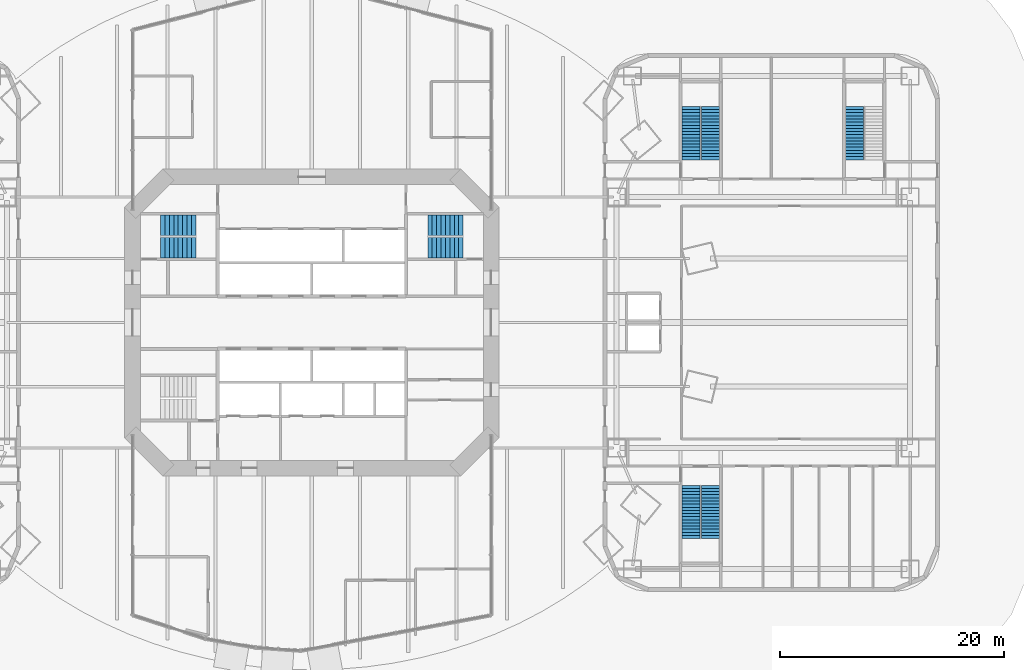
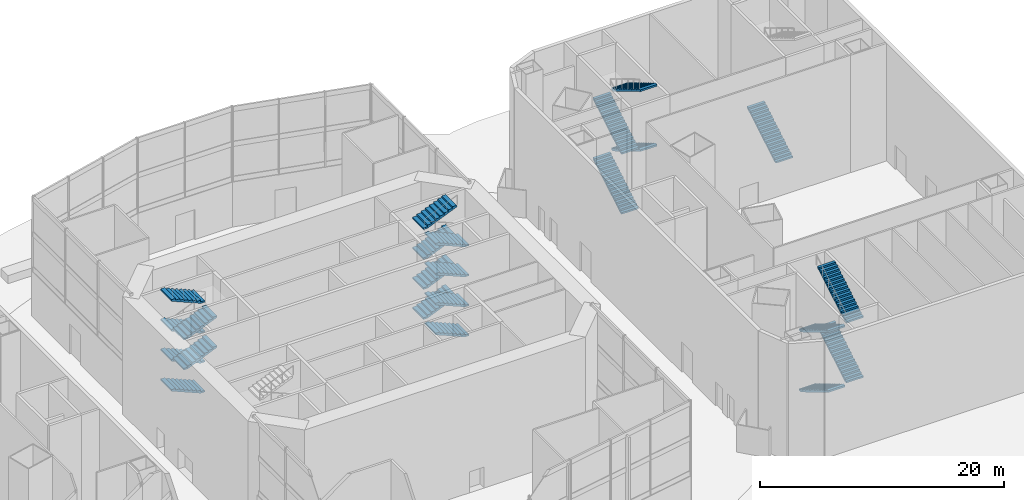
# One storey, part 19 of 23: 23 stair flights, 5 elements without a shape of their own.
"""IFC4 building model written with IfcOpenShell, lengths in metres."""

from ifc_helpers import new_model, si_unit, direction, frame, origin, place, context, subcontext, project, spatial, polyline, outline, extrude, material, type_object, element, aggregate, save


model = new_model("IFC4")

# Units and contexts
model_context = context("Model", 3, precision=1e-05, world=origin(), true_north=direction((0.0, 1.0)))
body_context = subcontext(model_context, "Body", "Model", "MODEL_VIEW")
ifc_project = project(units=[si_unit("LENGTHUNIT", "METRE"), si_unit("AREAUNIT", "SQUARE_METRE"), si_unit("VOLUMEUNIT", "CUBIC_METRE"), si_unit("PLANEANGLEUNIT", "RADIAN"), si_unit("MASSUNIT", "GRAM", prefix="KILO")], contexts=[model_context])

# Site, building, storey
site_placement = place(None, origin())
site = spatial("IfcSite", under=ifc_project, at=site_placement, CompositionType="ELEMENT")
building_placement = place(site_placement, origin())
building = spatial("IfcBuilding", under=site, at=building_placement, Name="Marenthal Gate Tower", CompositionType="ELEMENT")
storey_placement = place(building_placement, origin())
storey = spatial("IfcBuildingStorey", under=building, at=storey_placement, Name="L00", CompositionType="ELEMENT", Elevation=0.0)

# Stair, stair flights
ifc_material_1 = material(Name="Concrete 40 MPa", Category="concrete")
stair_type_1 = type_object("IfcStairType", Name="Exit stair 1600", PredefinedType="HALF_TURN_STAIR", material=ifc_material_1)
stair_1_placement = place(storey_placement, origin())
stair_1 = element("IfcStair", 1, at=stair_1_placement, inside=storey, type_object=stair_type_1, Name="Stair E1", PredefinedType="HALF_TURN_STAIR")
ifc_material_2 = material(Name="Concrete 40 MPa", Category="concrete")
stair_flight_type_1 = type_object("IfcStairFlightType", Name="Stair flight 1600", PredefinedType="STRAIGHT", material=ifc_material_2)
stair_flight_1_placement = place(storey_placement, frame((33.824951171875, 14.52490234375, 0.0), z_axis=(0.0, 0.0, 1.0), x_axis=(0.0, 1.0, 0.0)))
stair_flight_1 = element("IfcStairFlight", 2, at=stair_flight_1_placement, type_object=stair_flight_type_1, Name="E1 flight 1", NumberOfRisers=18, NumberOfTreads=17, PredefinedType="STRAIGHT", RiserHeight=0.166666667, TreadLength=0.28, context=body_context, shape_type="SweptSolid", body=[
    extrude(outline(polyline([(0.0, 0.0), (0.0, 0.166748046875), (0.280029296875, 0.166748046875), (0.280029296875, 0.333251953125), (0.56005859375, 0.333251953125), (0.56005859375, 0.5), (0.840087890625, 0.5), (0.840087890625, 0.666748046875), (1.1201171875, 0.666748046875), (1.1201171875, 0.833251953125), (1.39990234375, 0.833251953125), (1.39990234375, 1.0), (1.679931640625, 1.0), (1.679931640625, 1.166748046875), (1.9599609375, 1.166748046875), (1.9599609375, 1.333251953125), (2.239990234375, 1.333251953125), (2.239990234375, 1.5), (2.52001953125, 1.5), (2.52001953125, 1.666748046875), (2.800048828125, 1.666748046875), (2.800048828125, 1.833251953125), (3.080078125, 1.833251953125), (3.080078125, 2.0), (3.360107421875, 2.0), (3.360107421875, 2.166748046875), (3.639892578125, 2.166748046875), (3.639892578125, 2.333251953125), (3.919921875, 2.333251953125), (3.919921875, 2.5), (4.199951171875, 2.5), (4.199951171875, 2.666748046875), (4.47998046875, 2.666748046875), (4.47998046875, 2.833251953125), (4.760009765625, 2.833251953125), (4.760009765625, 3.0), (4.760009765625, 2.658935546875), (0.29296875, 0.0), (0.0, 0.0)])), frame((0.0, 0.800048828125, 0.0), z_axis=(0.0, -1.0, 0.0), x_axis=(1.0, 0.0, 0.0)), (0.0, 0.0, 1.0), 1.60009765625),
])
stair_flight_2_placement = place(storey_placement, frame((35.574951171875, 19.284912109375, 3.0), z_axis=(0.0, 0.0, 1.0), x_axis=(0.0, -1.0, 0.0)))
stair_flight_2 = element("IfcStairFlight", 3, at=stair_flight_2_placement, type_object=stair_flight_type_1, Name="E1 flight 2", NumberOfRisers=18, NumberOfTreads=17, PredefinedType="STRAIGHT", RiserHeight=0.166666667, TreadLength=0.28, context=body_context, shape_type="SweptSolid", body=[
    extrude(outline(polyline([(0.0, 0.0), (0.0, 0.166748046875), (0.280029296875, 0.166748046875), (0.280029296875, 0.333251953125), (0.56005859375, 0.333251953125), (0.56005859375, 0.5), (0.840087890625, 0.5), (0.840087890625, 0.666748046875), (1.1201171875, 0.666748046875), (1.1201171875, 0.833251953125), (1.39990234375, 0.833251953125), (1.39990234375, 1.0), (1.679931640625, 1.0), (1.679931640625, 1.166748046875), (1.9599609375, 1.166748046875), (1.9599609375, 1.333251953125), (2.239990234375, 1.333251953125), (2.239990234375, 1.5), (2.52001953125, 1.5), (2.52001953125, 1.666748046875), (2.800048828125, 1.666748046875), (2.800048828125, 1.833251953125), (3.080078125, 1.833251953125), (3.080078125, 2.0), (3.360107421875, 2.0), (3.360107421875, 2.166748046875), (3.639892578125, 2.166748046875), (3.639892578125, 2.333251953125), (3.919921875, 2.333251953125), (3.919921875, 2.5), (4.199951171875, 2.5), (4.199951171875, 2.666748046875), (4.47998046875, 2.666748046875), (4.47998046875, 2.833251953125), (4.760009765625, 2.833251953125), (4.760009765625, 3.0), (4.760009765625, 2.658935546875), (0.29296875, 0.0), (0.0, 0.0)])), frame((0.0, 0.800048828125, 0.0), z_axis=(0.0, -1.0, 0.0), x_axis=(1.0, 0.0, 0.0)), (0.0, 0.0, 1.0), 1.60009765625),
])
stair_flight_3_placement = place(storey_placement, frame((33.824951171875, 14.52490234375, 6.0), z_axis=(0.0, 0.0, 1.0), x_axis=(0.0, 1.0, 0.0)))
stair_flight_3 = element("IfcStairFlight", 4, at=stair_flight_3_placement, type_object=stair_flight_type_1, Name="E1 flight 3", NumberOfRisers=18, NumberOfTreads=17, PredefinedType="STRAIGHT", RiserHeight=0.166666667, TreadLength=0.28, context=body_context, shape_type="SweptSolid", body=[
    extrude(outline(polyline([(0.0, 0.0), (0.0, 0.166748046875), (0.280029296875, 0.166748046875), (0.280029296875, 0.333251953125), (0.56005859375, 0.333251953125), (0.56005859375, 0.5), (0.840087890625, 0.5), (0.840087890625, 0.666748046875), (1.1201171875, 0.666748046875), (1.1201171875, 0.833251953125), (1.39990234375, 0.833251953125), (1.39990234375, 1.0), (1.679931640625, 1.0), (1.679931640625, 1.166748046875), (1.9599609375, 1.166748046875), (1.9599609375, 1.333251953125), (2.239990234375, 1.333251953125), (2.239990234375, 1.5), (2.52001953125, 1.5), (2.52001953125, 1.666748046875), (2.800048828125, 1.666748046875), (2.800048828125, 1.833251953125), (3.080078125, 1.833251953125), (3.080078125, 2.0), (3.360107421875, 2.0), (3.360107421875, 2.166748046875), (3.639892578125, 2.166748046875), (3.639892578125, 2.333251953125), (3.919921875, 2.333251953125), (3.919921875, 2.5), (4.199951171875, 2.5), (4.199951171875, 2.666748046875), (4.47998046875, 2.666748046875), (4.47998046875, 2.833251953125), (4.760009765625, 2.833251953125), (4.760009765625, 3.0), (4.760009765625, 2.658935546875), (0.29296875, 0.0), (0.0, 0.0)])), frame((0.0, 0.800048828125, 0.0), z_axis=(0.0, -1.0, 0.0), x_axis=(1.0, 0.0, 0.0)), (0.0, 0.0, 1.0), 1.60009765625),
])
stair_flight_4_placement = place(storey_placement, frame((35.574951171875, 19.284912109375, 9.0), z_axis=(0.0, 0.0, 1.0), x_axis=(0.0, -1.0, 0.0)))
stair_flight_4 = element("IfcStairFlight", 5, at=stair_flight_4_placement, type_object=stair_flight_type_1, Name="E1 flight 4", NumberOfRisers=18, NumberOfTreads=17, PredefinedType="STRAIGHT", RiserHeight=0.166666667, TreadLength=0.28, context=body_context, shape_type="SweptSolid", body=[
    extrude(outline(polyline([(0.0, 0.0), (0.0, 0.166748046875), (0.280029296875, 0.166748046875), (0.280029296875, 0.333251953125), (0.56005859375, 0.333251953125), (0.56005859375, 0.5), (0.840087890625, 0.5), (0.840087890625, 0.666748046875), (1.1201171875, 0.666748046875), (1.1201171875, 0.833251953125), (1.39990234375, 0.833251953125), (1.39990234375, 1.0), (1.679931640625, 1.0), (1.679931640625, 1.166748046875), (1.9599609375, 1.166748046875), (1.9599609375, 1.333251953125), (2.239990234375, 1.333251953125), (2.239990234375, 1.5), (2.52001953125, 1.5), (2.52001953125, 1.666748046875), (2.800048828125, 1.666748046875), (2.800048828125, 1.833251953125), (3.080078125, 1.833251953125), (3.080078125, 2.0), (3.360107421875, 2.0), (3.360107421875, 2.166748046875), (3.639892578125, 2.166748046875), (3.639892578125, 2.333251953125), (3.919921875, 2.333251953125), (3.919921875, 2.5), (4.199951171875, 2.5), (4.199951171875, 2.666748046875), (4.47998046875, 2.666748046875), (4.47998046875, 2.833251953125), (4.760009765625, 2.833251953125), (4.760009765625, 3.0), (4.760009765625, 2.658935546875), (0.29296875, 0.0), (0.0, 0.0)])), frame((0.0, 0.800048828125, 0.0), z_axis=(0.0, -1.0, 0.0), x_axis=(1.0, 0.0, 0.0)), (0.0, 0.0, 1.0), 1.60009765625),
])
aggregate(stair_1, [stair_flight_1, stair_flight_2, stair_flight_3, stair_flight_4])

stair_2_placement = place(storey_placement, origin())
stair_2 = element("IfcStair", 6, at=stair_2_placement, inside=storey, type_object=stair_type_1, Name="Stair E2", PredefinedType="HALF_TURN_STAIR")
stair_flight_5_placement = place(storey_placement, frame((33.824951171875, -14.52490234375, 0.0), z_axis=(0.0, 0.0, 1.0), x_axis=(0.0, -1.0, 0.0)))
stair_flight_5 = element("IfcStairFlight", 7, at=stair_flight_5_placement, type_object=stair_flight_type_1, Name="E2 flight 1", NumberOfRisers=18, NumberOfTreads=17, PredefinedType="STRAIGHT", RiserHeight=0.166666667, TreadLength=0.28, context=body_context, shape_type="SweptSolid", body=[
    extrude(outline(polyline([(0.0, 0.0), (0.0, 0.166748046875), (0.280029296875, 0.166748046875), (0.280029296875, 0.333251953125), (0.56005859375, 0.333251953125), (0.56005859375, 0.5), (0.840087890625, 0.5), (0.840087890625, 0.666748046875), (1.1201171875, 0.666748046875), (1.1201171875, 0.833251953125), (1.39990234375, 0.833251953125), (1.39990234375, 1.0), (1.679931640625, 1.0), (1.679931640625, 1.166748046875), (1.9599609375, 1.166748046875), (1.9599609375, 1.333251953125), (2.239990234375, 1.333251953125), (2.239990234375, 1.5), (2.52001953125, 1.5), (2.52001953125, 1.666748046875), (2.800048828125, 1.666748046875), (2.800048828125, 1.833251953125), (3.080078125, 1.833251953125), (3.080078125, 2.0), (3.360107421875, 2.0), (3.360107421875, 2.166748046875), (3.639892578125, 2.166748046875), (3.639892578125, 2.333251953125), (3.919921875, 2.333251953125), (3.919921875, 2.5), (4.199951171875, 2.5), (4.199951171875, 2.666748046875), (4.47998046875, 2.666748046875), (4.47998046875, 2.833251953125), (4.760009765625, 2.833251953125), (4.760009765625, 3.0), (4.760009765625, 2.658935546875), (0.29296875, 0.0), (0.0, 0.0)])), frame((0.0, 0.800048828125, 0.0), z_axis=(0.0, -1.0, 0.0), x_axis=(1.0, 0.0, 0.0)), (0.0, 0.0, 1.0), 1.60009765625),
])
stair_flight_6_placement = place(storey_placement, frame((35.574951171875, -19.284912109375, 3.0), z_axis=(0.0, 0.0, 1.0), x_axis=(0.0, 1.0, 0.0)))
stair_flight_6 = element("IfcStairFlight", 8, at=stair_flight_6_placement, type_object=stair_flight_type_1, Name="E2 flight 2", NumberOfRisers=18, NumberOfTreads=17, PredefinedType="STRAIGHT", RiserHeight=0.166666667, TreadLength=0.28, context=body_context, shape_type="SweptSolid", body=[
    extrude(outline(polyline([(0.0, 0.0), (0.0, 0.166748046875), (0.280029296875, 0.166748046875), (0.280029296875, 0.333251953125), (0.56005859375, 0.333251953125), (0.56005859375, 0.5), (0.840087890625, 0.5), (0.840087890625, 0.666748046875), (1.1201171875, 0.666748046875), (1.1201171875, 0.833251953125), (1.39990234375, 0.833251953125), (1.39990234375, 1.0), (1.679931640625, 1.0), (1.679931640625, 1.166748046875), (1.9599609375, 1.166748046875), (1.9599609375, 1.333251953125), (2.239990234375, 1.333251953125), (2.239990234375, 1.5), (2.52001953125, 1.5), (2.52001953125, 1.666748046875), (2.800048828125, 1.666748046875), (2.800048828125, 1.833251953125), (3.080078125, 1.833251953125), (3.080078125, 2.0), (3.360107421875, 2.0), (3.360107421875, 2.166748046875), (3.639892578125, 2.166748046875), (3.639892578125, 2.333251953125), (3.919921875, 2.333251953125), (3.919921875, 2.5), (4.199951171875, 2.5), (4.199951171875, 2.666748046875), (4.47998046875, 2.666748046875), (4.47998046875, 2.833251953125), (4.760009765625, 2.833251953125), (4.760009765625, 3.0), (4.760009765625, 2.658935546875), (0.29296875, 0.0), (0.0, 0.0)])), frame((0.0, 0.800048828125, 0.0), z_axis=(0.0, -1.0, 0.0), x_axis=(1.0, 0.0, 0.0)), (0.0, 0.0, 1.0), 1.60009765625),
])
stair_flight_7_placement = place(storey_placement, frame((33.824951171875, -14.52490234375, 6.0), z_axis=(0.0, 0.0, 1.0), x_axis=(0.0, -1.0, 0.0)))
stair_flight_7 = element("IfcStairFlight", 9, at=stair_flight_7_placement, type_object=stair_flight_type_1, Name="E2 flight 3", NumberOfRisers=18, NumberOfTreads=17, PredefinedType="STRAIGHT", RiserHeight=0.166666667, TreadLength=0.28, context=body_context, shape_type="SweptSolid", body=[
    extrude(outline(polyline([(0.0, 0.0), (0.0, 0.166748046875), (0.280029296875, 0.166748046875), (0.280029296875, 0.333251953125), (0.56005859375, 0.333251953125), (0.56005859375, 0.5), (0.840087890625, 0.5), (0.840087890625, 0.666748046875), (1.1201171875, 0.666748046875), (1.1201171875, 0.833251953125), (1.39990234375, 0.833251953125), (1.39990234375, 1.0), (1.679931640625, 1.0), (1.679931640625, 1.166748046875), (1.9599609375, 1.166748046875), (1.9599609375, 1.333251953125), (2.239990234375, 1.333251953125), (2.239990234375, 1.5), (2.52001953125, 1.5), (2.52001953125, 1.666748046875), (2.800048828125, 1.666748046875), (2.800048828125, 1.833251953125), (3.080078125, 1.833251953125), (3.080078125, 2.0), (3.360107421875, 2.0), (3.360107421875, 2.166748046875), (3.639892578125, 2.166748046875), (3.639892578125, 2.333251953125), (3.919921875, 2.333251953125), (3.919921875, 2.5), (4.199951171875, 2.5), (4.199951171875, 2.666748046875), (4.47998046875, 2.666748046875), (4.47998046875, 2.833251953125), (4.760009765625, 2.833251953125), (4.760009765625, 3.0), (4.760009765625, 2.658935546875), (0.29296875, 0.0), (0.0, 0.0)])), frame((0.0, 0.800048828125, 0.0), z_axis=(0.0, -1.0, 0.0), x_axis=(1.0, 0.0, 0.0)), (0.0, 0.0, 1.0), 1.60009765625),
])
stair_flight_8_placement = place(storey_placement, frame((35.574951171875, -19.284912109375, 9.0), z_axis=(0.0, 0.0, 1.0), x_axis=(0.0, 1.0, 0.0)))
stair_flight_8 = element("IfcStairFlight", 10, at=stair_flight_8_placement, type_object=stair_flight_type_1, Name="E2 flight 4", NumberOfRisers=18, NumberOfTreads=17, PredefinedType="STRAIGHT", RiserHeight=0.166666667, TreadLength=0.28, context=body_context, shape_type="SweptSolid", body=[
    extrude(outline(polyline([(0.0, 0.0), (0.0, 0.166748046875), (0.280029296875, 0.166748046875), (0.280029296875, 0.333251953125), (0.56005859375, 0.333251953125), (0.56005859375, 0.5), (0.840087890625, 0.5), (0.840087890625, 0.666748046875), (1.1201171875, 0.666748046875), (1.1201171875, 0.833251953125), (1.39990234375, 0.833251953125), (1.39990234375, 1.0), (1.679931640625, 1.0), (1.679931640625, 1.166748046875), (1.9599609375, 1.166748046875), (1.9599609375, 1.333251953125), (2.239990234375, 1.333251953125), (2.239990234375, 1.5), (2.52001953125, 1.5), (2.52001953125, 1.666748046875), (2.800048828125, 1.666748046875), (2.800048828125, 1.833251953125), (3.080078125, 1.833251953125), (3.080078125, 2.0), (3.360107421875, 2.0), (3.360107421875, 2.166748046875), (3.639892578125, 2.166748046875), (3.639892578125, 2.333251953125), (3.919921875, 2.333251953125), (3.919921875, 2.5), (4.199951171875, 2.5), (4.199951171875, 2.666748046875), (4.47998046875, 2.666748046875), (4.47998046875, 2.833251953125), (4.760009765625, 2.833251953125), (4.760009765625, 3.0), (4.760009765625, 2.658935546875), (0.29296875, 0.0), (0.0, 0.0)])), frame((0.0, 0.800048828125, 0.0), z_axis=(0.0, -1.0, 0.0), x_axis=(1.0, 0.0, 0.0)), (0.0, 0.0, 1.0), 1.60009765625),
])
aggregate(stair_2, [stair_flight_5, stair_flight_6, stair_flight_7, stair_flight_8])

# Stair, stair flight
stair_3_placement = place(storey_placement, origin())
stair_3 = element("IfcStair", 11, at=stair_3_placement, inside=storey, type_object=stair_type_1, Name="Stair E3", PredefinedType="HALF_TURN_STAIR")
stair_flight_9_placement = place(storey_placement, frame((48.425048828125, 14.52490234375, 0.0), z_axis=(0.0, 0.0, 1.0), x_axis=(0.0, 1.0, 0.0)))
stair_flight_9 = element("IfcStairFlight", 12, at=stair_flight_9_placement, type_object=stair_flight_type_1, Name="E3 flight 1", NumberOfRisers=18, NumberOfTreads=17, PredefinedType="STRAIGHT", RiserHeight=0.166666667, TreadLength=0.28, context=body_context, shape_type="SweptSolid", body=[
    extrude(outline(polyline([(0.0, 0.0), (0.0, 0.166748046875), (0.280029296875, 0.166748046875), (0.280029296875, 0.333251953125), (0.56005859375, 0.333251953125), (0.56005859375, 0.5), (0.840087890625, 0.5), (0.840087890625, 0.666748046875), (1.1201171875, 0.666748046875), (1.1201171875, 0.833251953125), (1.39990234375, 0.833251953125), (1.39990234375, 1.0), (1.679931640625, 1.0), (1.679931640625, 1.166748046875), (1.9599609375, 1.166748046875), (1.9599609375, 1.333251953125), (2.239990234375, 1.333251953125), (2.239990234375, 1.5), (2.52001953125, 1.5), (2.52001953125, 1.666748046875), (2.800048828125, 1.666748046875), (2.800048828125, 1.833251953125), (3.080078125, 1.833251953125), (3.080078125, 2.0), (3.360107421875, 2.0), (3.360107421875, 2.166748046875), (3.639892578125, 2.166748046875), (3.639892578125, 2.333251953125), (3.919921875, 2.333251953125), (3.919921875, 2.5), (4.199951171875, 2.5), (4.199951171875, 2.666748046875), (4.47998046875, 2.666748046875), (4.47998046875, 2.833251953125), (4.760009765625, 2.833251953125), (4.760009765625, 3.0), (4.760009765625, 2.658935546875), (0.29296875, 0.0), (0.0, 0.0)])), frame((0.0, 0.800048828125, 0.0), z_axis=(0.0, -1.0, 0.0), x_axis=(1.0, 0.0, 0.0)), (0.0, 0.0, 1.0), 1.60009765625),
])
aggregate(stair_3, [stair_flight_9])

# Stair, stair flights
ifc_material_3 = material(Name="Concrete 40 MPa", Category="concrete")
stair_type_2 = type_object("IfcStairType", Name="Exit stair 1800", PredefinedType="HALF_TURN_STAIR", material=ifc_material_3)
stair_4_placement = place(storey_placement, origin())
stair_4 = element("IfcStair", 13, at=stair_4_placement, inside=storey, type_object=stair_type_2, Name="Stair ST1", PredefinedType="HALF_TURN_STAIR")
ifc_material_4 = material(Name="Concrete 40 MPa", Category="concrete")
stair_flight_type_2 = type_object("IfcStairFlightType", Name="Stair flight 1800", PredefinedType="STRAIGHT", material=ifc_material_4)
stair_flight_10_placement = place(storey_placement, frame((-10.350341796875, 8.675048828125, 1.5), z_axis=(0.0, 0.0, 1.0), x_axis=(-1.0, 0.0, 0.0)))
stair_flight_10 = element("IfcStairFlight", 14, at=stair_flight_10_placement, type_object=stair_flight_type_2, Name="ST1 flight 2", NumberOfRisers=9, NumberOfTreads=8, PredefinedType="STRAIGHT", RiserHeight=0.166666667, TreadLength=0.3937, context=body_context, shape_type="SweptSolid", body=[
    extrude(outline(polyline([(0.0, 0.0), (0.0, 0.166748046875), (0.393798828125, 0.166748046875), (0.393798828125, 0.333251953125), (0.787353515625, 0.333251953125), (0.787353515625, 0.5), (1.18115234375, 0.5), (1.18115234375, 0.666748046875), (1.57470703125, 0.666748046875), (1.57470703125, 0.833251953125), (1.968505859375, 0.833251953125), (1.968505859375, 1.0), (2.3623046875, 1.0), (2.3623046875, 1.166748046875), (2.755859375, 1.166748046875), (2.755859375, 1.333251953125), (3.149658203125, 1.333251953125), (3.149658203125, 1.5), (3.149658203125, 1.170654296875), (0.384521484375, 0.0), (0.0, 0.0)])), frame((0.0, 0.89990234375, 0.0), z_axis=(0.0, -1.0, 0.0), x_axis=(1.0, 0.0, 0.0)), (0.0, 0.0, 1.0), 1.800048828125),
])
stair_flight_11_placement = place(storey_placement, frame((-10.350341796875, 8.675048828125, 4.5), z_axis=(0.0, 0.0, 1.0), x_axis=(-1.0, 0.0, 0.0)))
stair_flight_11 = element("IfcStairFlight", 15, at=stair_flight_11_placement, type_object=stair_flight_type_2, Name="ST1 flight 4", NumberOfRisers=9, NumberOfTreads=8, PredefinedType="STRAIGHT", RiserHeight=0.166666667, TreadLength=0.3937, context=body_context, shape_type="SweptSolid", body=[
    extrude(outline(polyline([(0.0, 0.0), (0.0, 0.166748046875), (0.393798828125, 0.166748046875), (0.393798828125, 0.333251953125), (0.787353515625, 0.333251953125), (0.787353515625, 0.5), (1.18115234375, 0.5), (1.18115234375, 0.666748046875), (1.57470703125, 0.666748046875), (1.57470703125, 0.833251953125), (1.968505859375, 0.833251953125), (1.968505859375, 1.0), (2.3623046875, 1.0), (2.3623046875, 1.166748046875), (2.755859375, 1.166748046875), (2.755859375, 1.333251953125), (3.149658203125, 1.333251953125), (3.149658203125, 1.5), (3.149658203125, 1.170654296875), (0.384521484375, 0.0), (0.0, 0.0)])), frame((0.0, 0.89990234375, 0.0), z_axis=(0.0, -1.0, 0.0), x_axis=(1.0, 0.0, 0.0)), (0.0, 0.0, 1.0), 1.800048828125),
])
stair_flight_12_placement = place(storey_placement, frame((-13.5, 6.675048828125, 6.0), z_axis=(0.0, 0.0, 1.0), x_axis=(1.0, 0.0, 0.0)))
stair_flight_12 = element("IfcStairFlight", 16, at=stair_flight_12_placement, type_object=stair_flight_type_2, Name="ST1 flight 5", NumberOfRisers=9, NumberOfTreads=8, PredefinedType="STRAIGHT", RiserHeight=0.166666667, TreadLength=0.3937, context=body_context, shape_type="SweptSolid", body=[
    extrude(outline(polyline([(0.0, 0.0), (0.0, 0.166748046875), (0.393798828125, 0.166748046875), (0.393798828125, 0.333251953125), (0.787353515625, 0.333251953125), (0.787353515625, 0.5), (1.18115234375, 0.5), (1.18115234375, 0.666748046875), (1.57470703125, 0.666748046875), (1.57470703125, 0.833251953125), (1.968505859375, 0.833251953125), (1.968505859375, 1.0), (2.3623046875, 1.0), (2.3623046875, 1.166748046875), (2.755859375, 1.166748046875), (2.755859375, 1.333251953125), (3.149658203125, 1.333251953125), (3.149658203125, 1.5), (3.149658203125, 1.170654296875), (0.384521484375, 0.0), (0.0, 0.0)])), frame((0.0, 0.89990234375, 0.0), z_axis=(0.0, -1.0, 0.0), x_axis=(1.0, 0.0, 0.0)), (0.0, 0.0, 1.0), 1.800048828125),
])
stair_flight_13_placement = place(storey_placement, frame((-10.350341796875, 8.675048828125, 7.5), z_axis=(0.0, 0.0, 1.0), x_axis=(-1.0, 0.0, 0.0)))
stair_flight_13 = element("IfcStairFlight", 17, at=stair_flight_13_placement, type_object=stair_flight_type_2, Name="ST1 flight 6", NumberOfRisers=9, NumberOfTreads=8, PredefinedType="STRAIGHT", RiserHeight=0.166666667, TreadLength=0.3937, context=body_context, shape_type="SweptSolid", body=[
    extrude(outline(polyline([(0.0, 0.0), (0.0, 0.166748046875), (0.393798828125, 0.166748046875), (0.393798828125, 0.333251953125), (0.787353515625, 0.333251953125), (0.787353515625, 0.5), (1.18115234375, 0.5), (1.18115234375, 0.666748046875), (1.57470703125, 0.666748046875), (1.57470703125, 0.833251953125), (1.968505859375, 0.833251953125), (1.968505859375, 1.0), (2.3623046875, 1.0), (2.3623046875, 1.166748046875), (2.755859375, 1.166748046875), (2.755859375, 1.333251953125), (3.149658203125, 1.333251953125), (3.149658203125, 1.5), (3.149658203125, 1.170654296875), (0.384521484375, 0.0), (0.0, 0.0)])), frame((0.0, 0.89990234375, 0.0), z_axis=(0.0, -1.0, 0.0), x_axis=(1.0, 0.0, 0.0)), (0.0, 0.0, 1.0), 1.800048828125),
])
stair_flight_14_placement = place(storey_placement, frame((-13.5, 6.675048828125, 9.0), z_axis=(0.0, 0.0, 1.0), x_axis=(1.0, 0.0, 0.0)))
stair_flight_14 = element("IfcStairFlight", 18, at=stair_flight_14_placement, type_object=stair_flight_type_2, Name="ST1 flight 7", NumberOfRisers=9, NumberOfTreads=8, PredefinedType="STRAIGHT", RiserHeight=0.166666667, TreadLength=0.3937, context=body_context, shape_type="SweptSolid", body=[
    extrude(outline(polyline([(0.0, 0.0), (0.0, 0.166748046875), (0.393798828125, 0.166748046875), (0.393798828125, 0.333251953125), (0.787353515625, 0.333251953125), (0.787353515625, 0.5), (1.18115234375, 0.5), (1.18115234375, 0.666748046875), (1.57470703125, 0.666748046875), (1.57470703125, 0.833251953125), (1.968505859375, 0.833251953125), (1.968505859375, 1.0), (2.3623046875, 1.0), (2.3623046875, 1.166748046875), (2.755859375, 1.166748046875), (2.755859375, 1.333251953125), (3.149658203125, 1.333251953125), (3.149658203125, 1.5), (3.149658203125, 1.170654296875), (0.384521484375, 0.0), (0.0, 0.0)])), frame((0.0, 0.89990234375, 0.0), z_axis=(0.0, -1.0, 0.0), x_axis=(1.0, 0.0, 0.0)), (0.0, 0.0, 1.0), 1.800048828125),
])
stair_flight_15_placement = place(storey_placement, frame((-10.350341796875, 8.675048828125, 10.5), z_axis=(0.0, 0.0, 1.0), x_axis=(-1.0, 0.0, 0.0)))
stair_flight_15 = element("IfcStairFlight", 19, at=stair_flight_15_placement, type_object=stair_flight_type_2, Name="ST1 flight 8", NumberOfRisers=9, NumberOfTreads=8, PredefinedType="STRAIGHT", RiserHeight=0.166666667, TreadLength=0.3937, context=body_context, shape_type="SweptSolid", body=[
    extrude(outline(polyline([(0.0, 0.0), (0.0, 0.166748046875), (0.393798828125, 0.166748046875), (0.393798828125, 0.333251953125), (0.787353515625, 0.333251953125), (0.787353515625, 0.5), (1.18115234375, 0.5), (1.18115234375, 0.666748046875), (1.57470703125, 0.666748046875), (1.57470703125, 0.833251953125), (1.968505859375, 0.833251953125), (1.968505859375, 1.0), (2.3623046875, 1.0), (2.3623046875, 1.166748046875), (2.755859375, 1.166748046875), (2.755859375, 1.333251953125), (3.149658203125, 1.333251953125), (3.149658203125, 1.5), (3.149658203125, 1.170654296875), (0.384521484375, 0.0), (0.0, 0.0)])), frame((0.0, 0.89990234375, 0.0), z_axis=(0.0, -1.0, 0.0), x_axis=(1.0, 0.0, 0.0)), (0.0, 0.0, 1.0), 1.800048828125),
])
aggregate(stair_4, [stair_flight_10, stair_flight_11, stair_flight_12, stair_flight_13, stair_flight_14, stair_flight_15])

stair_5_placement = place(storey_placement, origin())
stair_5 = element("IfcStair", 20, at=stair_5_placement, inside=storey, type_object=stair_type_2, Name="Stair ST3", PredefinedType="HALF_TURN_STAIR")
stair_flight_16_placement = place(storey_placement, frame((13.5, 6.675048828125, 0.0), z_axis=(0.0, 0.0, 1.0), x_axis=(-1.0, 0.0, 0.0)))
stair_flight_16 = element("IfcStairFlight", 21, at=stair_flight_16_placement, type_object=stair_flight_type_2, Name="ST3 flight 1", NumberOfRisers=9, NumberOfTreads=8, PredefinedType="STRAIGHT", RiserHeight=0.166666667, TreadLength=0.3937, context=body_context, shape_type="SweptSolid", body=[
    extrude(outline(polyline([(0.0, 0.0), (0.0, 0.166748046875), (0.393798828125, 0.166748046875), (0.393798828125, 0.333251953125), (0.787353515625, 0.333251953125), (0.787353515625, 0.5), (1.18115234375, 0.5), (1.18115234375, 0.666748046875), (1.57470703125, 0.666748046875), (1.57470703125, 0.833251953125), (1.968505859375, 0.833251953125), (1.968505859375, 1.0), (2.3623046875, 1.0), (2.3623046875, 1.166748046875), (2.755859375, 1.166748046875), (2.755859375, 1.333251953125), (3.149658203125, 1.333251953125), (3.149658203125, 1.5), (3.149658203125, 1.170654296875), (0.384521484375, 0.0), (0.0, 0.0)])), frame((0.0, 0.89990234375, 0.0), z_axis=(0.0, -1.0, 0.0), x_axis=(1.0, 0.0, 0.0)), (0.0, 0.0, 1.0), 1.800048828125),
])
stair_flight_17_placement = place(storey_placement, frame((10.350341796875, 8.675048828125, 1.5), z_axis=(0.0, 0.0, 1.0), x_axis=(1.0, 0.0, 0.0)))
stair_flight_17 = element("IfcStairFlight", 22, at=stair_flight_17_placement, type_object=stair_flight_type_2, Name="ST3 flight 2", NumberOfRisers=9, NumberOfTreads=8, PredefinedType="STRAIGHT", RiserHeight=0.166666667, TreadLength=0.3937, context=body_context, shape_type="SweptSolid", body=[
    extrude(outline(polyline([(0.0, 0.0), (0.0, 0.166748046875), (0.393798828125, 0.166748046875), (0.393798828125, 0.333251953125), (0.787353515625, 0.333251953125), (0.787353515625, 0.5), (1.18115234375, 0.5), (1.18115234375, 0.666748046875), (1.57470703125, 0.666748046875), (1.57470703125, 0.833251953125), (1.968505859375, 0.833251953125), (1.968505859375, 1.0), (2.3623046875, 1.0), (2.3623046875, 1.166748046875), (2.755859375, 1.166748046875), (2.755859375, 1.333251953125), (3.149658203125, 1.333251953125), (3.149658203125, 1.5), (3.149658203125, 1.170654296875), (0.384521484375, 0.0), (0.0, 0.0)])), frame((0.0, 0.89990234375, 0.0), z_axis=(0.0, -1.0, 0.0), x_axis=(1.0, 0.0, 0.0)), (0.0, 0.0, 1.0), 1.800048828125),
])
stair_flight_18_placement = place(storey_placement, frame((13.5, 6.675048828125, 3.0), z_axis=(0.0, 0.0, 1.0), x_axis=(-1.0, 0.0, 0.0)))
stair_flight_18 = element("IfcStairFlight", 23, at=stair_flight_18_placement, type_object=stair_flight_type_2, Name="ST3 flight 3", NumberOfRisers=9, NumberOfTreads=8, PredefinedType="STRAIGHT", RiserHeight=0.166666667, TreadLength=0.3937, context=body_context, shape_type="SweptSolid", body=[
    extrude(outline(polyline([(0.0, 0.0), (0.0, 0.166748046875), (0.393798828125, 0.166748046875), (0.393798828125, 0.333251953125), (0.787353515625, 0.333251953125), (0.787353515625, 0.5), (1.18115234375, 0.5), (1.18115234375, 0.666748046875), (1.57470703125, 0.666748046875), (1.57470703125, 0.833251953125), (1.968505859375, 0.833251953125), (1.968505859375, 1.0), (2.3623046875, 1.0), (2.3623046875, 1.166748046875), (2.755859375, 1.166748046875), (2.755859375, 1.333251953125), (3.149658203125, 1.333251953125), (3.149658203125, 1.5), (3.149658203125, 1.170654296875), (0.384521484375, 0.0), (0.0, 0.0)])), frame((0.0, 0.89990234375, 0.0), z_axis=(0.0, -1.0, 0.0), x_axis=(1.0, 0.0, 0.0)), (0.0, 0.0, 1.0), 1.800048828125),
])
stair_flight_19_placement = place(storey_placement, frame((10.350341796875, 8.675048828125, 4.5), z_axis=(0.0, 0.0, 1.0), x_axis=(1.0, 0.0, 0.0)))
stair_flight_19 = element("IfcStairFlight", 24, at=stair_flight_19_placement, type_object=stair_flight_type_2, Name="ST3 flight 4", NumberOfRisers=9, NumberOfTreads=8, PredefinedType="STRAIGHT", RiserHeight=0.166666667, TreadLength=0.3937, context=body_context, shape_type="SweptSolid", body=[
    extrude(outline(polyline([(0.0, 0.0), (0.0, 0.166748046875), (0.393798828125, 0.166748046875), (0.393798828125, 0.333251953125), (0.787353515625, 0.333251953125), (0.787353515625, 0.5), (1.18115234375, 0.5), (1.18115234375, 0.666748046875), (1.57470703125, 0.666748046875), (1.57470703125, 0.833251953125), (1.968505859375, 0.833251953125), (1.968505859375, 1.0), (2.3623046875, 1.0), (2.3623046875, 1.166748046875), (2.755859375, 1.166748046875), (2.755859375, 1.333251953125), (3.149658203125, 1.333251953125), (3.149658203125, 1.5), (3.149658203125, 1.170654296875), (0.384521484375, 0.0), (0.0, 0.0)])), frame((0.0, 0.89990234375, 0.0), z_axis=(0.0, -1.0, 0.0), x_axis=(1.0, 0.0, 0.0)), (0.0, 0.0, 1.0), 1.800048828125),
])
stair_flight_20_placement = place(storey_placement, frame((13.5, 6.675048828125, 6.0), z_axis=(0.0, 0.0, 1.0), x_axis=(-1.0, 0.0, 0.0)))
stair_flight_20 = element("IfcStairFlight", 25, at=stair_flight_20_placement, type_object=stair_flight_type_2, Name="ST3 flight 5", NumberOfRisers=9, NumberOfTreads=8, PredefinedType="STRAIGHT", RiserHeight=0.166666667, TreadLength=0.3937, context=body_context, shape_type="SweptSolid", body=[
    extrude(outline(polyline([(0.0, 0.0), (0.0, 0.166748046875), (0.393798828125, 0.166748046875), (0.393798828125, 0.333251953125), (0.787353515625, 0.333251953125), (0.787353515625, 0.5), (1.18115234375, 0.5), (1.18115234375, 0.666748046875), (1.57470703125, 0.666748046875), (1.57470703125, 0.833251953125), (1.968505859375, 0.833251953125), (1.968505859375, 1.0), (2.3623046875, 1.0), (2.3623046875, 1.166748046875), (2.755859375, 1.166748046875), (2.755859375, 1.333251953125), (3.149658203125, 1.333251953125), (3.149658203125, 1.5), (3.149658203125, 1.170654296875), (0.384521484375, 0.0), (0.0, 0.0)])), frame((0.0, 0.89990234375, 0.0), z_axis=(0.0, -1.0, 0.0), x_axis=(1.0, 0.0, 0.0)), (0.0, 0.0, 1.0), 1.800048828125),
])
stair_flight_21_placement = place(storey_placement, frame((10.350341796875, 8.675048828125, 7.5), z_axis=(0.0, 0.0, 1.0), x_axis=(1.0, 0.0, 0.0)))
stair_flight_21 = element("IfcStairFlight", 26, at=stair_flight_21_placement, type_object=stair_flight_type_2, Name="ST3 flight 6", NumberOfRisers=9, NumberOfTreads=8, PredefinedType="STRAIGHT", RiserHeight=0.166666667, TreadLength=0.3937, context=body_context, shape_type="SweptSolid", body=[
    extrude(outline(polyline([(0.0, 0.0), (0.0, 0.166748046875), (0.393798828125, 0.166748046875), (0.393798828125, 0.333251953125), (0.787353515625, 0.333251953125), (0.787353515625, 0.5), (1.18115234375, 0.5), (1.18115234375, 0.666748046875), (1.57470703125, 0.666748046875), (1.57470703125, 0.833251953125), (1.968505859375, 0.833251953125), (1.968505859375, 1.0), (2.3623046875, 1.0), (2.3623046875, 1.166748046875), (2.755859375, 1.166748046875), (2.755859375, 1.333251953125), (3.149658203125, 1.333251953125), (3.149658203125, 1.5), (3.149658203125, 1.170654296875), (0.384521484375, 0.0), (0.0, 0.0)])), frame((0.0, 0.89990234375, 0.0), z_axis=(0.0, -1.0, 0.0), x_axis=(1.0, 0.0, 0.0)), (0.0, 0.0, 1.0), 1.800048828125),
])
stair_flight_22_placement = place(storey_placement, frame((13.5, 6.675048828125, 9.0), z_axis=(0.0, 0.0, 1.0), x_axis=(-1.0, 0.0, 0.0)))
stair_flight_22 = element("IfcStairFlight", 27, at=stair_flight_22_placement, type_object=stair_flight_type_2, Name="ST3 flight 7", NumberOfRisers=9, NumberOfTreads=8, PredefinedType="STRAIGHT", RiserHeight=0.166666667, TreadLength=0.3937, context=body_context, shape_type="SweptSolid", body=[
    extrude(outline(polyline([(0.0, 0.0), (0.0, 0.166748046875), (0.393798828125, 0.166748046875), (0.393798828125, 0.333251953125), (0.787353515625, 0.333251953125), (0.787353515625, 0.5), (1.18115234375, 0.5), (1.18115234375, 0.666748046875), (1.57470703125, 0.666748046875), (1.57470703125, 0.833251953125), (1.968505859375, 0.833251953125), (1.968505859375, 1.0), (2.3623046875, 1.0), (2.3623046875, 1.166748046875), (2.755859375, 1.166748046875), (2.755859375, 1.333251953125), (3.149658203125, 1.333251953125), (3.149658203125, 1.5), (3.149658203125, 1.170654296875), (0.384521484375, 0.0), (0.0, 0.0)])), frame((0.0, 0.89990234375, 0.0), z_axis=(0.0, -1.0, 0.0), x_axis=(1.0, 0.0, 0.0)), (0.0, 0.0, 1.0), 1.800048828125),
])
stair_flight_23_placement = place(storey_placement, frame((10.350341796875, 8.675048828125, 10.5), z_axis=(0.0, 0.0, 1.0), x_axis=(1.0, 0.0, 0.0)))
stair_flight_23 = element("IfcStairFlight", 28, at=stair_flight_23_placement, type_object=stair_flight_type_2, Name="ST3 flight 8", NumberOfRisers=9, NumberOfTreads=8, PredefinedType="STRAIGHT", RiserHeight=0.166666667, TreadLength=0.3937, context=body_context, shape_type="SweptSolid", body=[
    extrude(outline(polyline([(0.0, 0.0), (0.0, 0.166748046875), (0.393798828125, 0.166748046875), (0.393798828125, 0.333251953125), (0.787353515625, 0.333251953125), (0.787353515625, 0.5), (1.18115234375, 0.5), (1.18115234375, 0.666748046875), (1.57470703125, 0.666748046875), (1.57470703125, 0.833251953125), (1.968505859375, 0.833251953125), (1.968505859375, 1.0), (2.3623046875, 1.0), (2.3623046875, 1.166748046875), (2.755859375, 1.166748046875), (2.755859375, 1.333251953125), (3.149658203125, 1.333251953125), (3.149658203125, 1.5), (3.149658203125, 1.170654296875), (0.384521484375, 0.0), (0.0, 0.0)])), frame((0.0, 0.89990234375, 0.0), z_axis=(0.0, -1.0, 0.0), x_axis=(1.0, 0.0, 0.0)), (0.0, 0.0, 1.0), 1.800048828125),
])
aggregate(stair_5, [stair_flight_16, stair_flight_17, stair_flight_18, stair_flight_19, stair_flight_20, stair_flight_21, stair_flight_22, stair_flight_23])

save(model, "model.ifc")
